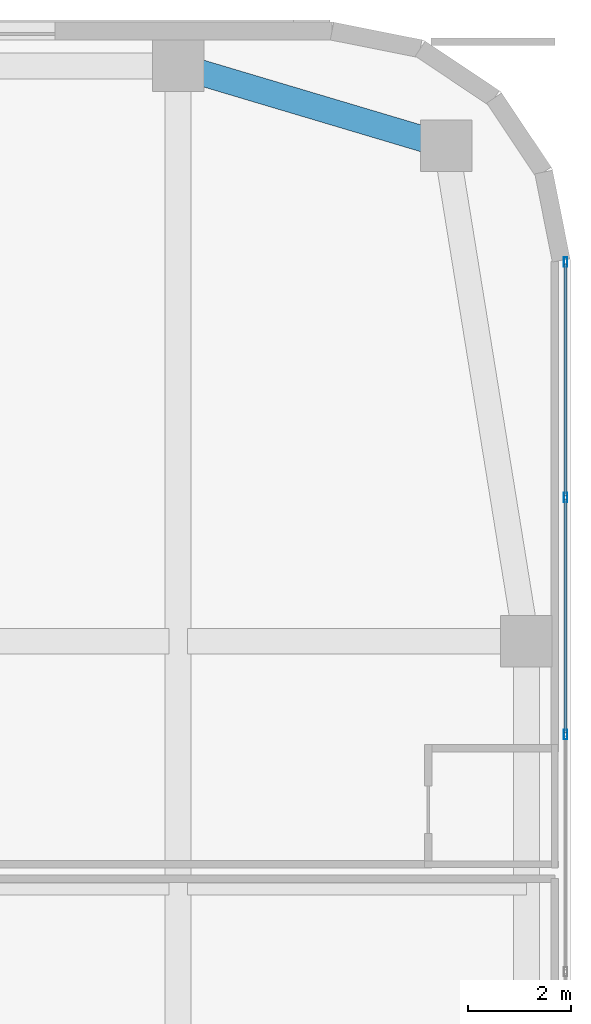
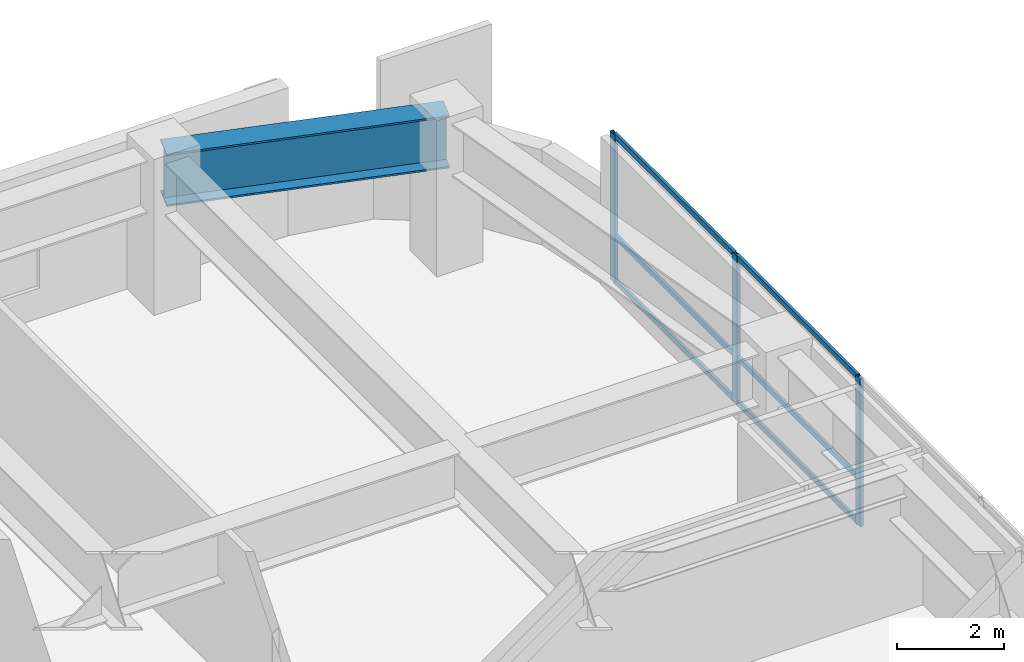
# One storey, part 17 of 31: 9 members, 1 beam, 1 element without a shape of its own.
"""IFC4 building model written with IfcOpenShell, lengths in metres."""

from ifc_helpers import new_model, si_unit, direction, frame, origin, origin_2d, place, context, subcontext, project, spatial, hollow_rectangle, i_section, extrude, source, transform, mapped, material, layer, layer_set, material_profile, profile_set, type_object, type_shapes, element, aggregate, save


model = new_model("IFC4")

# Units and contexts
model_context = context("Model", 3, precision=1e-05, world=origin(), true_north=direction((0.0, 1.0)))
body_context = subcontext(model_context, "Body", "Model", "MODEL_VIEW")
ifc_project = project(units=[si_unit("LENGTHUNIT", "METRE"), si_unit("AREAUNIT", "SQUARE_METRE"), si_unit("VOLUMEUNIT", "CUBIC_METRE"), si_unit("PLANEANGLEUNIT", "RADIAN"), si_unit("MASSUNIT", "GRAM", prefix="KILO")], contexts=[model_context])

# Site, building, storey
site_placement = place(None, origin())
site = spatial("IfcSite", under=ifc_project, at=site_placement, CompositionType="ELEMENT")
building_placement = place(site_placement, origin())
building = spatial("IfcBuilding", under=site, at=building_placement, Name="Tolvann Quenvar Hotel", CompositionType="ELEMENT")
storey_placement = place(building_placement, frame((0.0, 0.0, 74.60009765625)))
storey = spatial("IfcBuildingStorey", under=building, at=storey_placement, Name="L18", CompositionType="ELEMENT", Elevation=74.60009765625)

# Beam
ifc_material_1 = material(Name="Steel Grade 350", Category="steel")
ifc_material_profile_1 = material_profile(ifc_material_1, i_section(OverallWidth=0.5, OverallDepth=1.199951171875, WebThickness=0.01611328125, FlangeThickness=0.0400390625, at=origin_2d()), Name="1200WB455")
ifc_profile_set_1 = profile_set([ifc_material_profile_1], Name="Steel Grade 350")
beam_type = type_object("IfcBeamType", Name="BM_TG_1200WB455", PredefinedType="USERDEFINED", material=ifc_profile_set_1)
shared_shape_1 = source(origin(), body_context, "Body", "SweptSolid", [
    extrude(i_section(OverallWidth=0.5, OverallDepth=1.199951171875, WebThickness=0.01611328125, FlangeThickness=0.0400390625, at=origin_2d()), origin(), (0.0, 0.0, 1.0), 5.42626953125),
])
type_shapes(beam_type, [shared_shape_1])
beam_placement = place(storey_placement, frame((54.60009765625, 43.60009765625, 2.77001953125), z_axis=(-0.958344815522, 0.285613750654, 0.0), x_axis=(-0.285613750654, -0.958344815522, 0.0)))
element("IfcBeam", 1, at=beam_placement, inside=storey, type_object=beam_type, Name="BM-L18-FLK-E3", ObjectType="TRANSFER GIRDER", PredefinedType="USERDEFINED", context=body_context, shape_type="MappedRepresentation", body=[
    mapped(shared_shape_1, transform((0.0, 0.0, 0.0), x_axis=(1.0, 0.0, 0.0), y_axis=(0.0, 1.0, 0.0), z_axis=(0.0, 0.0, 1.0), scale=1.0)),
])

# Curtain wall, members
ifc_material_2 = material(Name="Thermally broken anodised architectural aluminium 6063-T6 and laminated low-E glass", Category="aluminium")
ifc_layer = layer(ifc_material_2, 0.179931640625)
ifc_layer_set = layer_set([ifc_layer], Name="Thermally broken anodised architectural aluminium 6063-T6 and laminated low-E glass")
curtain_wall_type = type_object("IfcCurtainWallType", Name="CW_SYS_BAND_04", PredefinedType="USERDEFINED", material=ifc_layer_set)
curtain_wall_placement = place(storey_placement, origin())
curtain_wall = element("IfcCurtainWall", 2, at=curtain_wall_placement, inside=storey, type_object=curtain_wall_type, Name="Curtain Wall CW-BAND-04 (CWR-L18-E13)", ObjectType="UNITISED CURTAIN WALL", PredefinedType="USERDEFINED")
ifc_material_3 = material(Name="Anodised architectural aluminium 6063-T6 framing", Category="aluminium")
ifc_material_profile_2 = material_profile(ifc_material_3, hollow_rectangle(XDim=0.070068359375, YDim=0.179931640625, WallThickness=0.00390625, at=origin_2d()), Name="180x70x4RHS")
ifc_profile_set_2 = profile_set([ifc_material_profile_2], Name="Anodised architectural aluminium 6063-T6 framing")
member_type_1 = type_object("IfcMemberType", Name="CW_MULL_180x70", PredefinedType="MULLION", material=ifc_profile_set_2)
shared_shape_2 = source(origin(), body_context, "Body", "SweptSolid", [
    extrude(hollow_rectangle(XDim=0.070068359375, YDim=0.179931640625, WallThickness=0.00390625, at=origin_2d()), origin(), (0.0, 0.0, 1.0), 3.369873046875),
])
type_shapes(member_type_1, [shared_shape_2])
member_1_placement = place(storey_placement, frame((56.909912109375, 32.19140625, 0.0), z_axis=(0.0, 0.0, 1.0), x_axis=(-1.0, 0.0, 0.0)))
member_1 = element("IfcMember", 3, at=member_1_placement, type_object=member_type_1, Name="CW-BAND-04 mullion 7", PredefinedType="MULLION", context=body_context, shape_type="MappedRepresentation", body=[
    mapped(shared_shape_2, transform((0.0, 0.0, 0.0), x_axis=(1.0, 0.0, 0.0), y_axis=(0.0, 1.0, 0.0), z_axis=(0.0, 0.0, 1.0), scale=1.0)),
])
member_2_placement = place(storey_placement, frame((56.909912109375, 36.787109375, 0.0), z_axis=(0.0, 0.0, 1.0), x_axis=(-1.0, 0.0, 0.0)))
member_2 = element("IfcMember", 4, at=member_2_placement, type_object=member_type_1, Name="CW-BAND-04 mullion 8", PredefinedType="MULLION", context=body_context, shape_type="MappedRepresentation", body=[
    mapped(shared_shape_2, transform((0.0, 0.0, 0.0), x_axis=(1.0, 0.0, 0.0), y_axis=(0.0, 1.0, 0.0), z_axis=(0.0, 0.0, 1.0), scale=1.0)),
])
member_3_placement = place(storey_placement, frame((56.909912109375, 41.347900390625, 0.0), z_axis=(0.0, 0.0, 1.0), x_axis=(-1.0, 0.0, 0.0)))
member_3 = element("IfcMember", 5, at=member_3_placement, type_object=member_type_1, Name="CW-BAND-04 mullion 9", PredefinedType="MULLION", context=body_context, shape_type="MappedRepresentation", body=[
    mapped(shared_shape_2, transform((0.0, 0.0, 0.0), x_axis=(1.0, 0.0, 0.0), y_axis=(0.0, 1.0, 0.0), z_axis=(0.0, 0.0, 1.0), scale=1.0)),
])
ifc_material_profile_3 = material_profile(ifc_material_3, hollow_rectangle(XDim=0.06005859375, YDim=0.1201171875, WallThickness=0.00341796875, at=origin_2d()), Name="120x60x3.5RHS")
ifc_profile_set_3 = profile_set([ifc_material_profile_3], Name="Anodised architectural aluminium 6063-T6 framing")
member_type_2 = type_object("IfcMemberType", Name="CW_TRAN_120x60", PredefinedType="USERDEFINED", material=ifc_profile_set_3)
shared_shape_3 = source(origin(), body_context, "Body", "SweptSolid", [
    extrude(hollow_rectangle(XDim=0.06005859375, YDim=0.1201171875, WallThickness=0.00341796875, at=origin_2d()), origin(), (0.0, 0.0, 1.0), 4.49072265625),
])
member_4_placement = place(storey_placement, frame((56.909912109375, 36.822021484375, 0.02978515625), z_axis=(0.0, 1.0, 0.0), x_axis=(-1.0, 0.0, 0.0)))
member_4 = element("IfcMember", 6, at=member_4_placement, type_object=member_type_2, Name="CW-BAND-04 transom 8.1", ObjectType="TRANSOM", PredefinedType="USERDEFINED", context=body_context, shape_type="MappedRepresentation", body=[
    mapped(shared_shape_3, transform((0.0, 0.0, 0.0), x_axis=(1.0, 0.0, 0.0), y_axis=(0.0, 1.0, 0.0), z_axis=(0.0, 0.0, 1.0), scale=1.0)),
])
member_5_placement = place(storey_placement, frame((56.909912109375, 36.822021484375, 1.0498046875), z_axis=(0.0, 1.0, 0.0), x_axis=(-1.0, 0.0, 0.0)))
member_5 = element("IfcMember", 7, at=member_5_placement, type_object=member_type_2, Name="CW-BAND-04 transom 8.2", ObjectType="TRANSOM", PredefinedType="USERDEFINED", context=body_context, shape_type="MappedRepresentation", body=[
    mapped(shared_shape_3, transform((0.0, 0.0, 0.0), x_axis=(1.0, 0.0, 0.0), y_axis=(0.0, 1.0, 0.0), z_axis=(0.0, 0.0, 1.0), scale=1.0)),
])
member_6_placement = place(storey_placement, frame((56.909912109375, 36.822021484375, 3.33984375), z_axis=(0.0, 1.0, 0.0), x_axis=(-1.0, 0.0, 0.0)))
member_6 = element("IfcMember", 8, at=member_6_placement, type_object=member_type_2, Name="CW-BAND-04 transom 8.3", ObjectType="TRANSOM", PredefinedType="USERDEFINED", context=body_context, shape_type="MappedRepresentation", body=[
    mapped(shared_shape_3, transform((0.0, 0.0, 0.0), x_axis=(1.0, 0.0, 0.0), y_axis=(0.0, 1.0, 0.0), z_axis=(0.0, 0.0, 1.0), scale=1.0)),
])
shared_shape_4 = source(origin(), body_context, "Body", "SweptSolid", [
    extrude(hollow_rectangle(XDim=0.06005859375, YDim=0.1201171875, WallThickness=0.00341796875, at=origin_2d()), origin(), (0.0, 0.0, 1.0), 4.52587890625),
])
type_shapes(member_type_2, [shared_shape_3, shared_shape_4])
member_7_placement = place(storey_placement, frame((56.909912109375, 32.226318359375, 0.02978515625), z_axis=(0.0, 1.0, 0.0), x_axis=(-1.0, 0.0, 0.0)))
member_7 = element("IfcMember", 9, at=member_7_placement, type_object=member_type_2, Name="CW-BAND-04 transom 7.1", ObjectType="TRANSOM", PredefinedType="USERDEFINED", context=body_context, shape_type="MappedRepresentation", body=[
    mapped(shared_shape_4, transform((0.0, 0.0, 0.0), x_axis=(1.0, 0.0, 0.0), y_axis=(0.0, 1.0, 0.0), z_axis=(0.0, 0.0, 1.0), scale=1.0)),
])
member_8_placement = place(storey_placement, frame((56.909912109375, 32.226318359375, 1.0498046875), z_axis=(0.0, 1.0, 0.0), x_axis=(-1.0, 0.0, 0.0)))
member_8 = element("IfcMember", 10, at=member_8_placement, type_object=member_type_2, Name="CW-BAND-04 transom 7.2", ObjectType="TRANSOM", PredefinedType="USERDEFINED", context=body_context, shape_type="MappedRepresentation", body=[
    mapped(shared_shape_4, transform((0.0, 0.0, 0.0), x_axis=(1.0, 0.0, 0.0), y_axis=(0.0, 1.0, 0.0), z_axis=(0.0, 0.0, 1.0), scale=1.0)),
])
member_9_placement = place(storey_placement, frame((56.909912109375, 32.226318359375, 3.33984375), z_axis=(0.0, 1.0, 0.0), x_axis=(-1.0, 0.0, 0.0)))
member_9 = element("IfcMember", 11, at=member_9_placement, type_object=member_type_2, Name="CW-BAND-04 transom 7.3", ObjectType="TRANSOM", PredefinedType="USERDEFINED", context=body_context, shape_type="MappedRepresentation", body=[
    mapped(shared_shape_4, transform((0.0, 0.0, 0.0), x_axis=(1.0, 0.0, 0.0), y_axis=(0.0, 1.0, 0.0), z_axis=(0.0, 0.0, 1.0), scale=1.0)),
])
aggregate(curtain_wall, [member_1, member_2, member_3, member_7, member_8, member_9, member_4, member_5, member_6])

save(model, "model.ifc")
